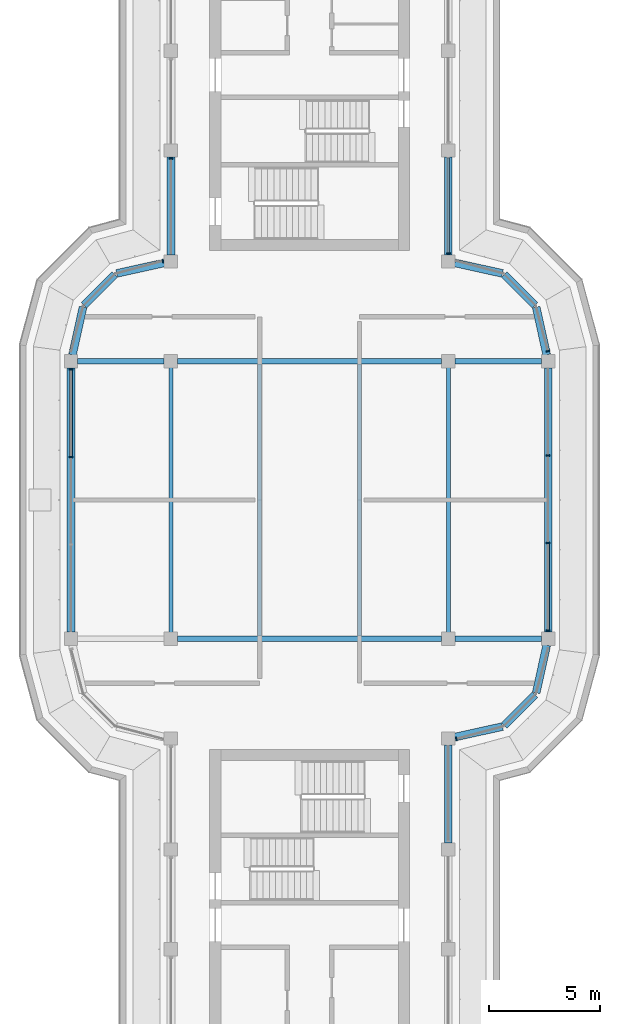
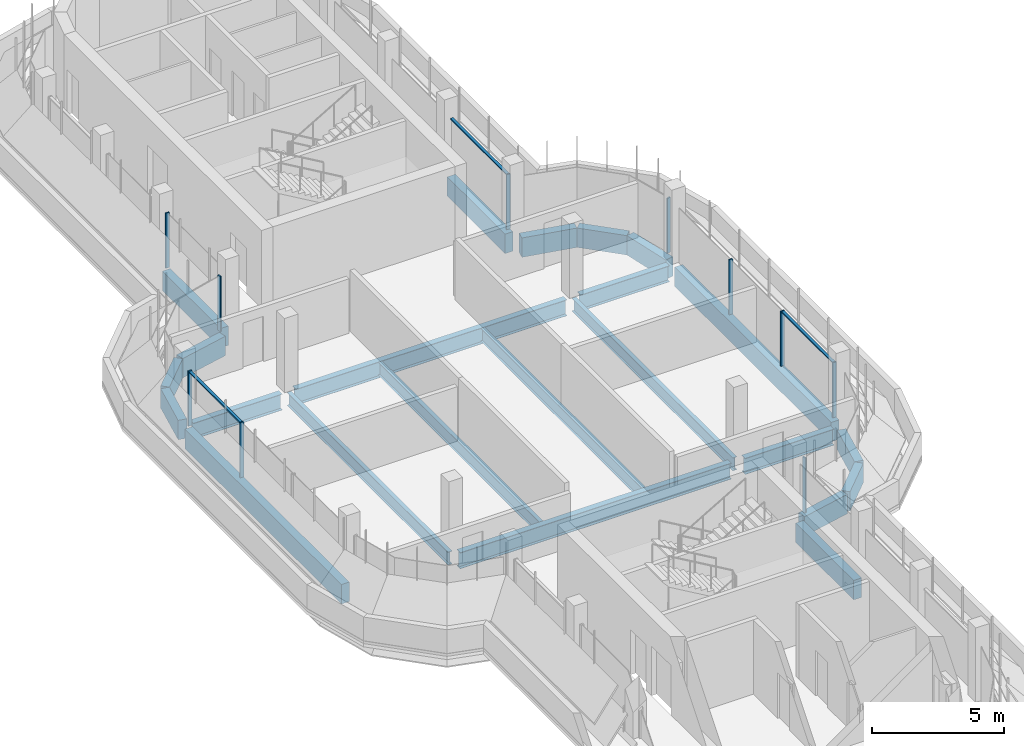
# One storey, part 3 of 13: 23 beams, 13 members, 7 elements without a shape of their own.
"""IFC4 building model written with IfcOpenShell, lengths in metres."""

from ifc_helpers import new_model, si_unit, direction, frame, origin, origin_2d, place, context, subcontext, project, spatial, polyline, rectangle, i_section, outline, extrude, source, transform, mapped, material, material_profile, profile_set, type_object, element, aggregate, save


model = new_model("IFC4")

# Units and contexts
model_context = context("Model", 3, precision=1e-05, world=origin(), true_north=direction((0.0, 1.0)))
body_context = subcontext(model_context, "Body", "Model", "MODEL_VIEW")
ifc_project = project(units=[si_unit("LENGTHUNIT", "METRE"), si_unit("AREAUNIT", "SQUARE_METRE"), si_unit("VOLUMEUNIT", "CUBIC_METRE"), si_unit("PLANEANGLEUNIT", "RADIAN"), si_unit("MASSUNIT", "GRAM", prefix="KILO")], contexts=[model_context])

# Site, building, storey
site_placement = place(None, origin())
site = spatial("IfcSite", under=ifc_project, at=site_placement, CompositionType="ELEMENT")
building_placement = place(site_placement, origin())
building = spatial("IfcBuilding", under=site, at=building_placement, Name="Zarbagh Exchange Tower", CompositionType="ELEMENT")
storey_placement = place(building_placement, frame((0.0, 0.0, 302.39990234375)))
storey = spatial("IfcBuildingStorey", under=building, at=storey_placement, Name="L74", CompositionType="ELEMENT", Elevation=302.39990234375)

# Beams
ifc_material_1 = material(Name="Steel ASTM A992 Gr 50", Category="steel")
ifc_material_profile_1 = material_profile(ifc_material_1, i_section(OverallWidth=0.1787109375, OverallDepth=0.60205078125, WebThickness=0.010986328125, FlangeThickness=0.014892578125, at=origin_2d()), Name="W24X62")
ifc_profile_set_1 = profile_set([ifc_material_profile_1], Name="Steel ASTM A992 Gr 50")
beam_type_1 = type_object("IfcBeamType", Name="Floor beam W24X62", PredefinedType="BEAM", material=ifc_profile_set_1)
for number, where, z_axis, x_axis, name in (
    (1, (-6.25, -6.117919921875, -0.450927734375), (0.0, 1.0, 0.0), (-1.0, 0.0, 0.0), "Steel floor beam"),
    (2, (-2.25, -6.117919921875, -0.450927734375), (0.0, 1.0, 0.0), (-1.0, 0.0, 0.0), "Steel floor beam"),
    (3, (2.25, -6.117919921875, -0.450927734375), (0.0, 1.0, 0.0), (-1.0, 0.0, 0.0), "Steel floor beam"),
    (4, (6.25, -6.117919921875, -0.450927734375), (0.0, 1.0, 0.0), (-1.0, 0.0, 0.0), "Steel floor beam"),
):
    element("IfcBeam", number, at=place(storey_placement, frame(where, z_axis=z_axis, x_axis=x_axis)), inside=storey, type_object=beam_type_1, Name=name, PredefinedType="BEAM", context=body_context, shape_type="SweptSolid", body=[
        extrude(i_section(OverallWidth=0.1787109375, OverallDepth=0.60205078125, WebThickness=0.010986328125, FlangeThickness=0.014892578125, at=origin_2d()), origin(), (0.0, 0.0, 1.0), 12.23583984375),
    ])
ifc_material_profile_2 = material_profile(ifc_material_1, i_section(OverallWidth=0.26416015625, OverallDepth=0.749267578125, WebThickness=0.011962890625, FlangeThickness=0.015380859375, at=origin_2d()), Name="W30X90")
ifc_profile_set_2 = profile_set([ifc_material_profile_2], Name="Steel ASTM A992 Gr 50")
beam_type_2 = type_object("IfcBeamType", Name="Floor girder W30X90", PredefinedType="BEAM", material=ifc_profile_set_2)
beam_1_placement = place(storey_placement, frame((-10.449951171875, 6.25, -0.5244140625), z_axis=(1.0, 0.0, 0.0), x_axis=(0.0, 1.0, 0.0)))
element("IfcBeam", 5, at=beam_1_placement, inside=storey, type_object=beam_type_2, Name="Steel girder", PredefinedType="BEAM", context=body_context, shape_type="SweptSolid", body=[
    extrude(i_section(OverallWidth=0.26416015625, OverallDepth=0.749267578125, WebThickness=0.011962890625, FlangeThickness=0.015380859375, at=origin_2d()), origin(), (0.0, 0.0, 1.0), 3.89990234375),
])
beam_2_placement = place(storey_placement, frame((-5.949951171875, 6.25, -0.5244140625), z_axis=(1.0, 0.0, 0.0), x_axis=(0.0, 1.0, 0.0)))
element("IfcBeam", 6, at=beam_2_placement, inside=storey, type_object=beam_type_2, Name="Steel girder", PredefinedType="BEAM", context=body_context, shape_type="SweptSolid", body=[
    extrude(i_section(OverallWidth=0.26416015625, OverallDepth=0.749267578125, WebThickness=0.011962890625, FlangeThickness=0.015380859375, at=origin_2d()), origin(), (0.0, 0.0, 1.0), 11.89990234375),
])
beam_3_placement = place(storey_placement, frame((6.550048828125, 6.25, -0.5244140625), z_axis=(1.0, 0.0, 0.0), x_axis=(0.0, 1.0, 0.0)))
element("IfcBeam", 7, at=beam_3_placement, inside=storey, type_object=beam_type_2, Name="Steel girder", PredefinedType="BEAM", context=body_context, shape_type="SweptSolid", body=[
    extrude(i_section(OverallWidth=0.26416015625, OverallDepth=0.749267578125, WebThickness=0.011962890625, FlangeThickness=0.015380859375, at=origin_2d()), origin(), (0.0, 0.0, 1.0), 3.89990234375),
])
beam_4_placement = place(storey_placement, frame((-5.949951171875, -6.25, -0.5244140625), z_axis=(1.0, 0.0, 0.0), x_axis=(0.0, 1.0, 0.0)))
element("IfcBeam", 8, at=beam_4_placement, inside=storey, type_object=beam_type_2, Name="Steel girder", PredefinedType="BEAM", context=body_context, shape_type="SweptSolid", body=[
    extrude(i_section(OverallWidth=0.26416015625, OverallDepth=0.749267578125, WebThickness=0.011962890625, FlangeThickness=0.015380859375, at=origin_2d()), origin(), (0.0, 0.0, 1.0), 11.89990234375),
])
beam_5_placement = place(storey_placement, frame((6.550048828125, -6.25, -0.5244140625), z_axis=(1.0, 0.0, 0.0), x_axis=(0.0, 1.0, 0.0)))
element("IfcBeam", 9, at=beam_5_placement, inside=storey, type_object=beam_type_2, Name="Steel girder", PredefinedType="BEAM", context=body_context, shape_type="SweptSolid", body=[
    extrude(i_section(OverallWidth=0.26416015625, OverallDepth=0.749267578125, WebThickness=0.011962890625, FlangeThickness=0.015380859375, at=origin_2d()), origin(), (0.0, 0.0, 1.0), 3.89990234375),
])
ifc_material_2 = material(Name="Concrete C40/50", Category="concrete")
ifc_material_profile_3 = material_profile(ifc_material_2, rectangle(XDim=0.35009765625, YDim=0.89990234375, at=origin_2d()), Name="RC spandrel beam 350 x 900 C40/50")
ifc_profile_set_3 = profile_set([ifc_material_profile_3], Name="Concrete C40/50")
beam_type_3 = type_object("IfcBeamType", Name="RC spandrel beam 350 x 900 C40/50", PredefinedType="SPANDREL", material=ifc_profile_set_3)
beam_6_placement = place(storey_placement, frame((-10.75, -5.949951171875, -0.599853515625), z_axis=(0.0, 1.0, 0.0), x_axis=(-1.0, 0.0, 0.0)))
element("IfcBeam", 10, at=beam_6_placement, inside=storey, type_object=beam_type_3, Name="RC spandrel beam", PredefinedType="SPANDREL", context=body_context, shape_type="SweptSolid", body=[
    extrude(rectangle(XDim=0.35009765625, YDim=0.89990234375, at=origin_2d()), origin(), (0.0, 0.0, 1.0), 11.89990234375),
])
beam_7_placement = place(storey_placement, frame((-10.685302734375, 6.54296875, -0.599853515625), z_axis=(0.216025770228, 0.976387662047, 0.0), x_axis=(-0.976387662047, 0.216025770228, 0.0)))
element("IfcBeam", 11, at=beam_7_placement, inside=storey, type_object=beam_type_3, Name="RC spandrel beam", PredefinedType="SPANDREL", context=body_context, shape_type="SweptSolid", body=[
    extrude(rectangle(XDim=0.35009765625, YDim=0.89990234375, at=origin_2d()), origin(), (0.0, 0.0, 1.0), 2.200439453125),
])
beam_8_placement = place(storey_placement, frame((-10.16259765625, 8.77734375, -0.599853515625), z_axis=(0.707106781187, 0.707106781187, 0.0), x_axis=(-0.707106781187, 0.707106781187, 0.0)))
element("IfcBeam", 12, at=beam_8_placement, inside=storey, type_object=beam_type_3, Name="RC spandrel beam", PredefinedType="SPANDREL", context=body_context, shape_type="SweptSolid", body=[
    extrude(rectangle(XDim=0.35009765625, YDim=0.89990234375, at=origin_2d()), origin(), (0.0, 0.0, 1.0), 1.958984375),
])
beam_9_placement = place(storey_placement, frame((-8.69140625, 10.2099609375, -0.599853515625), z_axis=(0.976387662047, 0.216025770228, 0.0), x_axis=(-0.216025770228, 0.976387662047, 0.0)))
element("IfcBeam", 13, at=beam_9_placement, inside=storey, type_object=beam_type_3, Name="RC spandrel beam", PredefinedType="SPANDREL", context=body_context, shape_type="SweptSolid", body=[
    extrude(rectangle(XDim=0.35009765625, YDim=0.89990234375, at=origin_2d()), origin(), (0.0, 0.0, 1.0), 2.200439453125),
])
for number, where, z_axis, x_axis, name in (
    (14, (-6.25, 11.050048828125, -0.599853515625), (0.0, 1.0, 0.0), (-1.0, 0.0, 0.0), "RC spandrel beam"),
    (15, (6.25, 15.449951171875, -0.599853515625), (0.0, -1.0, 0.0), (1.0, 0.0, 0.0), "RC spandrel beam"),
):
    element("IfcBeam", number, at=place(storey_placement, frame(where, z_axis=z_axis, x_axis=x_axis)), inside=storey, type_object=beam_type_3, Name=name, PredefinedType="SPANDREL", context=body_context, shape_type="SweptSolid", body=[
        extrude(rectangle(XDim=0.35009765625, YDim=0.89990234375, at=origin_2d()), origin(), (0.0, 0.0, 1.0), 4.39990234375),
    ])
beam_10_placement = place(storey_placement, frame((6.54296875, 10.685302734375, -0.599853515625), z_axis=(0.976387662047, -0.216025770228, 0.0), x_axis=(0.216025770228, 0.976387662047, 0.0)))
element("IfcBeam", 16, at=beam_10_placement, inside=storey, type_object=beam_type_3, Name="RC spandrel beam", PredefinedType="SPANDREL", context=body_context, shape_type="SweptSolid", body=[
    extrude(rectangle(XDim=0.35009765625, YDim=0.89990234375, at=origin_2d()), origin(), (0.0, 0.0, 1.0), 2.200439453125),
])
beam_11_placement = place(storey_placement, frame((8.77734375, 10.16259765625, -0.599853515625), z_axis=(0.707106781187, -0.707106781187, 0.0), x_axis=(0.707106781187, 0.707106781187, 0.0)))
element("IfcBeam", 17, at=beam_11_placement, inside=storey, type_object=beam_type_3, Name="RC spandrel beam", PredefinedType="SPANDREL", context=body_context, shape_type="SweptSolid", body=[
    extrude(rectangle(XDim=0.35009765625, YDim=0.89990234375, at=origin_2d()), origin(), (0.0, 0.0, 1.0), 1.958984375),
])
beam_12_placement = place(storey_placement, frame((10.2099609375, 8.69140625, -0.599853515625), z_axis=(0.216025770228, -0.976387662047, 0.0), x_axis=(0.976387662047, 0.216025770228, 0.0)))
element("IfcBeam", 18, at=beam_12_placement, inside=storey, type_object=beam_type_3, Name="RC spandrel beam", PredefinedType="SPANDREL", context=body_context, shape_type="SweptSolid", body=[
    extrude(rectangle(XDim=0.35009765625, YDim=0.89990234375, at=origin_2d()), origin(), (0.0, 0.0, 1.0), 2.200439453125),
])
beam_13_placement = place(storey_placement, frame((10.75, 5.949951171875, -0.599853515625), z_axis=(0.0, -1.0, 0.0), x_axis=(1.0, 0.0, 0.0)))
element("IfcBeam", 19, at=beam_13_placement, inside=storey, type_object=beam_type_3, Name="RC spandrel beam", PredefinedType="SPANDREL", context=body_context, shape_type="SweptSolid", body=[
    extrude(rectangle(XDim=0.35009765625, YDim=0.89990234375, at=origin_2d()), origin(), (0.0, 0.0, 1.0), 11.89990234375),
])
beam_14_placement = place(storey_placement, frame((10.685302734375, -6.54296875, -0.599853515625), z_axis=(-0.216025770228, -0.976387662047, 0.0), x_axis=(0.976387662047, -0.216025770228, 0.0)))
element("IfcBeam", 20, at=beam_14_placement, inside=storey, type_object=beam_type_3, Name="RC spandrel beam", PredefinedType="SPANDREL", context=body_context, shape_type="SweptSolid", body=[
    extrude(rectangle(XDim=0.35009765625, YDim=0.89990234375, at=origin_2d()), origin(), (0.0, 0.0, 1.0), 2.200439453125),
])
beam_15_placement = place(storey_placement, frame((10.16259765625, -8.77734375, -0.599853515625), z_axis=(-0.707106781187, -0.707106781187, 0.0), x_axis=(0.707106781187, -0.707106781187, 0.0)))
element("IfcBeam", 21, at=beam_15_placement, inside=storey, type_object=beam_type_3, Name="RC spandrel beam", PredefinedType="SPANDREL", context=body_context, shape_type="SweptSolid", body=[
    extrude(rectangle(XDim=0.35009765625, YDim=0.89990234375, at=origin_2d()), origin(), (0.0, 0.0, 1.0), 1.958984375),
])
beam_16_placement = place(storey_placement, frame((8.69140625, -10.2099609375, -0.599853515625), z_axis=(-0.976387662047, -0.216025770228, 0.0), x_axis=(0.216025770228, -0.976387662047, 0.0)))
element("IfcBeam", 22, at=beam_16_placement, inside=storey, type_object=beam_type_3, Name="RC spandrel beam", PredefinedType="SPANDREL", context=body_context, shape_type="SweptSolid", body=[
    extrude(rectangle(XDim=0.35009765625, YDim=0.89990234375, at=origin_2d()), origin(), (0.0, 0.0, 1.0), 2.200439453125),
])
beam_17_placement = place(storey_placement, frame((6.25, -11.050048828125, -0.599853515625), z_axis=(0.0, -1.0, 0.0), x_axis=(1.0, 0.0, 0.0)))
element("IfcBeam", 23, at=beam_17_placement, inside=storey, type_object=beam_type_3, Name="RC spandrel beam", PredefinedType="SPANDREL", context=body_context, shape_type="SweptSolid", body=[
    extrude(rectangle(XDim=0.35009765625, YDim=0.89990234375, at=origin_2d()), origin(), (0.0, 0.0, 1.0), 4.39990234375),
])

# Curtain wall, member
ifc_material_3 = material(Name="Anodised aluminium frame and glazing", Category="aluminium")
curtain_wall_type = type_object("IfcCurtainWallType", Name="CWF Crown tier glazing", PredefinedType="NOTDEFINED", material=ifc_material_3)
curtain_wall_1_placement = place(storey_placement, origin())
curtain_wall_1 = element("IfcCurtainWall", 24, at=curtain_wall_1_placement, inside=storey, type_object=curtain_wall_type, Name="CWF20 curtain wall", PredefinedType="NOTDEFINED")
ifc_material_4 = material(Name="Anodised aluminium frame", Category="aluminium")
member_type_1 = type_object("IfcMemberType", Name="TRF Transom, anodised aluminium frame", PredefinedType="USERDEFINED", material=ifc_material_4)
shared_shape_1 = source(origin(), body_context, "Body", "SweptSolid", [
    extrude(outline(polyline([(-0.06005859375, -0.06005859375), (0.0, -0.06005859375), (0.0, 0.06005859375), (-0.06005859375, 0.06005859375), (-0.06005859375, -0.06005859375)])), origin(), (0.0, 0.0, 1.0), 4.260009765625),
])
placement = place(storey_placement, origin())
member_1 = element("IfcMember", 25, at=placement, type_object=member_type_1, Name="CWF20 transom 1.1", ObjectType="TRANSOM", PredefinedType="USERDEFINED", context=body_context, shape_type="MappedRepresentation", body=[
    mapped(shared_shape_1, transform((6.25, 11.150146484375, 2.550048828125), x_axis=(0.0, 0.0, 1.0), y_axis=(1.0, 0.0, 0.0), z_axis=(0.0, 1.0, 0.0))),
])

curtain_wall_2_placement = place(storey_placement, origin())
curtain_wall_2 = element("IfcCurtainWall", 26, at=curtain_wall_2_placement, inside=storey, type_object=curtain_wall_type, Name="CWF05 curtain wall", PredefinedType="NOTDEFINED")
member_type_2 = type_object("IfcMemberType", Name="MUF Mullion, anodised aluminium frame", PredefinedType="MULLION", material=ifc_material_4)
shared_shape_2 = source(origin(), body_context, "Body", "SweptSolid", [
    extrude(outline(polyline([(0.0, -0.080078125), (0.06005859375, -0.080078125), (0.06005859375, 0.080078125), (0.0, 0.080078125), (0.0, -0.080078125)])), origin(), (0.0, 0.0, 1.0), 2.550048828125),
])
member_2 = element("IfcMember", 27, at=placement, type_object=member_type_2, Name="CWF05 mullion 1.1", PredefinedType="MULLION", context=body_context, shape_type="MappedRepresentation", body=[
    mapped(shared_shape_2, transform((6.590087890625, -10.775146484375, 0.0), x_axis=(0.965924289636, 0.258824779902, 0.0), y_axis=(-0.258824779902, 0.965924289636, 0.0), z_axis=(0.0, 0.0, 1.0))),
])
aggregate(curtain_wall_2, [member_2])

# Curtain wall, members
curtain_wall_3_placement = place(storey_placement, origin())
curtain_wall_3 = element("IfcCurtainWall", 28, at=curtain_wall_3_placement, inside=storey, type_object=curtain_wall_type, Name="CWF47 curtain wall", PredefinedType="NOTDEFINED")
member_3 = element("IfcMember", 29, at=placement, type_object=member_type_2, Name="CWF47 mullion 1.1", PredefinedType="MULLION", context=body_context, shape_type="MappedRepresentation", body=[
    mapped(shared_shape_2, transform((10.75, -5.909912109375, 0.0), x_axis=(0.0, 1.0, 0.0), y_axis=(-1.0, 0.0, 0.0), z_axis=(0.0, 0.0, 1.0))),
])
member_4 = element("IfcMember", 30, at=placement, type_object=member_type_2, Name="CWF47 mullion 1.2", PredefinedType="MULLION", context=body_context, shape_type="MappedRepresentation", body=[
    mapped(shared_shape_2, transform((10.75, -1.969970703125, 0.0), x_axis=(0.0, 1.0, 0.0), y_axis=(-1.0, 0.0, 0.0), z_axis=(0.0, 0.0, 1.0))),
])
member_5 = element("IfcMember", 31, at=placement, type_object=member_type_2, Name="CWF47 mullion 1.3", PredefinedType="MULLION", context=body_context, shape_type="MappedRepresentation", body=[
    mapped(shared_shape_2, transform((10.75, 1.969970703125, 0.0), x_axis=(0.0, 1.0, 0.0), y_axis=(-1.0, 0.0, 0.0), z_axis=(0.0, 0.0, 1.0))),
])

# Curtain wall, member
curtain_wall_4_placement = place(storey_placement, origin())
curtain_wall_4 = element("IfcCurtainWall", 32, at=curtain_wall_4_placement, inside=storey, type_object=curtain_wall_type, Name="CWF17 curtain wall", PredefinedType="NOTDEFINED")
member_6 = element("IfcMember", 33, at=placement, type_object=member_type_2, Name="CWF17 mullion 1.1", PredefinedType="MULLION", context=body_context, shape_type="MappedRepresentation", body=[
    mapped(shared_shape_2, transform((10.75, 6.68408203125, 0.0), x_axis=(-0.258824779902, 0.965924289636, 0.0), y_axis=(-0.965924289636, -0.258824779902, 0.0), z_axis=(0.0, 0.0, 1.0))),
])
aggregate(curtain_wall_4, [member_6])

# Member
member_7 = element("IfcMember", 34, at=placement, type_object=member_type_2, Name="CWF20 mullion 1.1", PredefinedType="MULLION", context=body_context, shape_type="MappedRepresentation", body=[
    mapped(shared_shape_2, transform((6.25, 11.090087890625, 0.0), x_axis=(0.0, 1.0, 0.0), y_axis=(-1.0, 0.0, 0.0), z_axis=(0.0, 0.0, 1.0))),
])

aggregate(curtain_wall_1, [member_7, member_1])

# Curtain wall, member
curtain_wall_5_placement = place(storey_placement, origin())
curtain_wall_5 = element("IfcCurtainWall", 35, at=curtain_wall_5_placement, inside=storey, type_object=curtain_wall_type, Name="CWF27 curtain wall", PredefinedType="NOTDEFINED")
member_8 = element("IfcMember", 36, at=placement, type_object=member_type_2, Name="CWF27 mullion 3.1", PredefinedType="MULLION", context=body_context, shape_type="MappedRepresentation", body=[
    mapped(shared_shape_2, transform((-6.25, 15.409912109375, 0.0), x_axis=(0.0, -1.0, 0.0), y_axis=(1.0, 0.0, 0.0), z_axis=(0.0, 0.0, 1.0))),
])
aggregate(curtain_wall_5, [member_8])

curtain_wall_6_placement = place(storey_placement, origin())
curtain_wall_6 = element("IfcCurtainWall", 37, at=curtain_wall_6_placement, inside=storey, type_object=curtain_wall_type, Name="CWF28 curtain wall", PredefinedType="NOTDEFINED")
member_9 = element("IfcMember", 38, at=placement, type_object=member_type_2, Name="CWF28 mullion 1.1", PredefinedType="MULLION", context=body_context, shape_type="MappedRepresentation", body=[
    mapped(shared_shape_2, transform((-6.590087890625, 10.775146484375, 0.0), x_axis=(-0.965924289636, -0.258824779902, 0.0), y_axis=(0.258824779902, -0.965924289636, 0.0), z_axis=(0.0, 0.0, 1.0))),
])
aggregate(curtain_wall_6, [member_9])

# Curtain wall, members
curtain_wall_7_placement = place(storey_placement, origin())
curtain_wall_7 = element("IfcCurtainWall", 39, at=curtain_wall_7_placement, inside=storey, type_object=curtain_wall_type, Name="CWF48 curtain wall", PredefinedType="NOTDEFINED")
member_10 = element("IfcMember", 40, at=placement, type_object=member_type_2, Name="CWF48 mullion 1.1", PredefinedType="MULLION", context=body_context, shape_type="MappedRepresentation", body=[
    mapped(shared_shape_2, transform((-10.75, 5.909912109375, 0.0), x_axis=(0.0, -1.0, 0.0), y_axis=(1.0, 0.0, 0.0), z_axis=(0.0, 0.0, 1.0))),
])
member_11 = element("IfcMember", 41, at=placement, type_object=member_type_2, Name="CWF48 mullion 1.2", PredefinedType="MULLION", context=body_context, shape_type="MappedRepresentation", body=[
    mapped(shared_shape_2, transform((-10.75, 1.969970703125, 0.0), x_axis=(0.0, -1.0, 0.0), y_axis=(1.0, 0.0, 0.0), z_axis=(0.0, 0.0, 1.0))),
])

# Member
shared_shape_3 = source(origin(), body_context, "Body", "SweptSolid", [
    extrude(outline(polyline([(-0.06005859375, -0.06005859375), (0.0, -0.06005859375), (0.0, 0.06005859375), (-0.06005859375, 0.06005859375), (-0.06005859375, -0.06005859375)])), origin(), (0.0, 0.0, 1.0), 3.8798828125),
])
member_12 = element("IfcMember", 42, at=placement, type_object=member_type_1, Name="CWF47 transom 1.1", ObjectType="TRANSOM", PredefinedType="USERDEFINED", context=body_context, shape_type="MappedRepresentation", body=[
    mapped(shared_shape_3, transform((10.75, -5.849853515625, 2.550048828125), x_axis=(0.0, 0.0, 1.0), y_axis=(1.0, 0.0, 0.0), z_axis=(0.0, 1.0, 0.0))),
])

aggregate(curtain_wall_3, [member_3, member_12, member_4, member_5])

member_13 = element("IfcMember", 43, at=placement, type_object=member_type_1, Name="CWF48 transom 1.1", ObjectType="TRANSOM", PredefinedType="USERDEFINED", context=body_context, shape_type="MappedRepresentation", body=[
    mapped(shared_shape_3, transform((-10.75, 5.849853515625, 2.550048828125), x_axis=(0.0, 0.0, 1.0), y_axis=(-1.0, 0.0, 0.0), z_axis=(0.0, -1.0, 0.0))),
])

aggregate(curtain_wall_7, [member_10, member_13, member_11])

save(model, "model.ifc")
